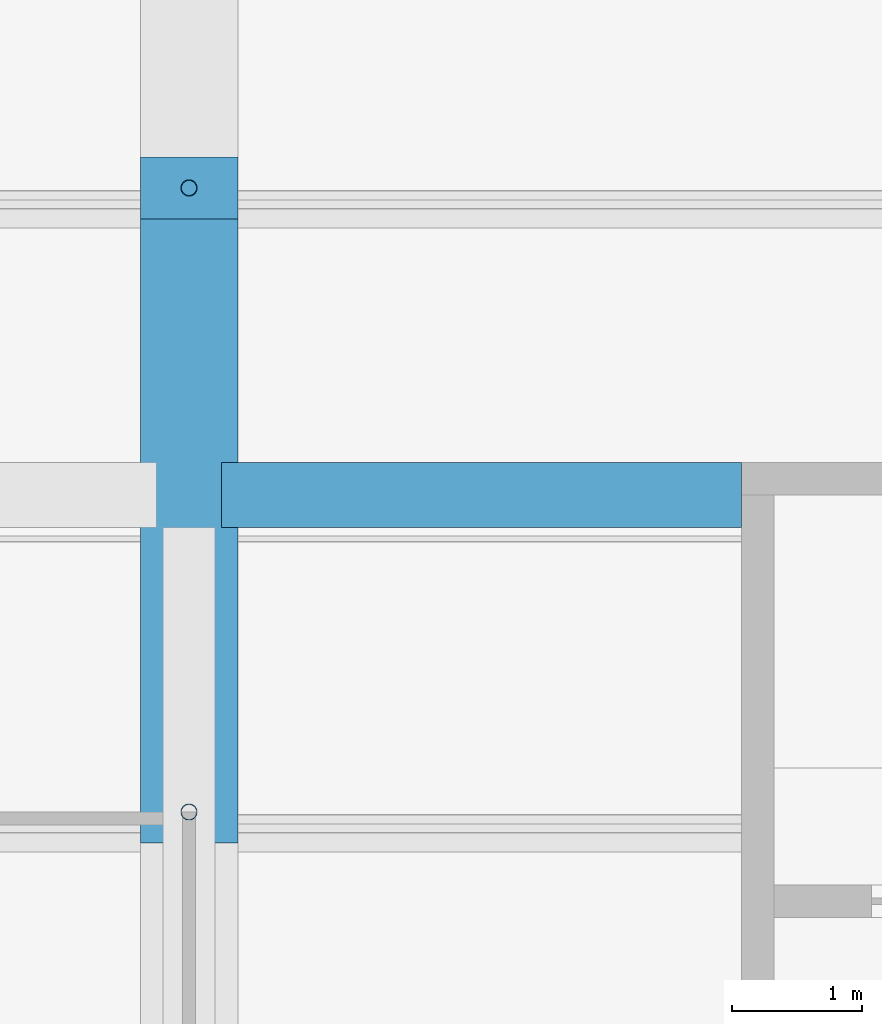
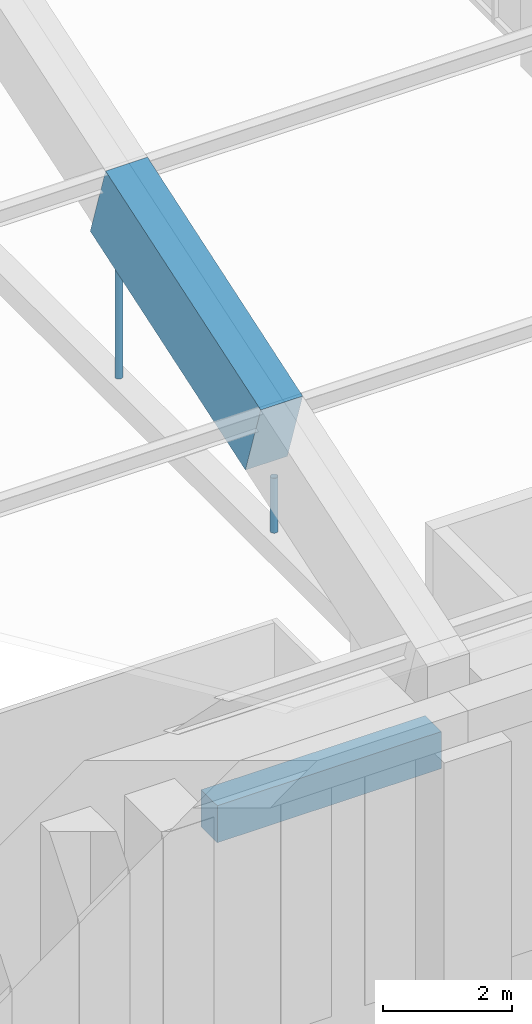
# One storey, part 25 of 149: 2 beams, 2 members.
"""IFC4 building model written with IfcOpenShell, lengths in metres."""

from ifc_helpers import new_model, si_unit, direction, frame, origin, origin_2d, place, context, subcontext, project, spatial, rectangle, hollow_circle, extrude, material, material_profile, profile_set, type_object, element, save


model = new_model("IFC4")

# Units and contexts
model_context = context("Model", 3, precision=1e-05, world=origin(), true_north=direction((0.0, 1.0)))
body_context = subcontext(model_context, "Body", "Model", "MODEL_VIEW")
ifc_project = project(units=[si_unit("LENGTHUNIT", "METRE"), si_unit("AREAUNIT", "SQUARE_METRE"), si_unit("VOLUMEUNIT", "CUBIC_METRE"), si_unit("PLANEANGLEUNIT", "RADIAN"), si_unit("MASSUNIT", "GRAM", prefix="KILO")], contexts=[model_context])

# Site, building, storey
site_placement = place(None, origin())
site = spatial("IfcSite", under=ifc_project, at=site_placement, CompositionType="ELEMENT")
building_placement = place(site_placement, origin())
building = spatial("IfcBuilding", under=site, at=building_placement, Name="Alderwick Market Hall", CompositionType="ELEMENT")
storey_placement = place(building_placement, frame((0.0, 0.0, 9.60009765625)))
storey = spatial("IfcBuildingStorey", under=building, at=storey_placement, Name="L01", CompositionType="ELEMENT", Elevation=9.60009765625)

# Beams
ifc_material_1 = material(Name="Concrete 5000 psi (f'c 35 MPa)", Category="concrete")
ifc_material_profile_1 = material_profile(ifc_material_1, rectangle(XDim=0.5, YDim=0.699951171875, at=origin_2d()), Name="RC 500x700")
ifc_profile_set_1 = profile_set([ifc_material_profile_1], Name="Concrete 5000 psi (f'c 35 MPa)")
beam_type_1 = type_object("IfcBeamType", Name="H Edge beam 500x700", PredefinedType="BEAM", material=ifc_profile_set_1)
beam_1_placement = place(storey_placement, frame((137.050048828125, 57.639892578125, -0.60009765625), z_axis=(1.0, 0.0, 0.0), x_axis=(0.0, 1.0, 0.0)))
element("IfcBeam", 1, at=beam_1_placement, inside=storey, type_object=beam_type_1, Name="Gallery edge beam S", PredefinedType="BEAM", context=body_context, shape_type="SweptSolid", body=[
    extrude(rectangle(XDim=0.5, YDim=0.699951171875, at=origin_2d()), origin(), (0.0, 0.0, 1.0), 4.0),
])
ifc_material_profile_2 = material_profile(ifc_material_1, rectangle(XDim=0.75, YDim=1.5, at=origin_2d()), Name="RC 750x1500")
ifc_profile_set_2 = profile_set([ifc_material_profile_2], Name="Concrete 5000 psi (f'c 35 MPa)")
beam_type_2 = type_object("IfcBeamType", Name="R Arch Rib Springing 750x1500", PredefinedType="BEAM", material=ifc_profile_set_2)
beam_2_placement = place(storey_placement, frame((136.800048828125, 55.199951171875, 8.199951171875), z_axis=(0.0, 0.948692948114, 0.316198814353), x_axis=(-1.0, 0.0, 0.0)))
element("IfcBeam", 2, at=beam_2_placement, inside=storey, type_object=beam_type_2, Name="Arch rib 7 chord 2", PredefinedType="BEAM", context=body_context, shape_type="SweptSolid", body=[
    extrude(rectangle(XDim=0.75, YDim=1.5, at=origin_2d()), origin(), (0.0, 0.0, 1.0), 5.0595703125),
])

# Members
ifc_material_2 = material(Name="Steel ASTM A500 Grade C", Category="steel")
ifc_material_profile_3 = material_profile(ifc_material_2, hollow_circle(Radius=0.0634765625, WallThickness=0.005859375, at=origin_2d()), Name="HSS5.000x0.250")
ifc_profile_set_3 = profile_set([ifc_material_profile_3], Name="Steel ASTM A500 Grade C")
member_type = type_object("IfcMemberType", Name="R Hanger HSS5.000x0.250", PredefinedType="POST", material=ifc_profile_set_3)
member_1_placement = place(storey_placement, frame((136.800048828125, 55.199951171875, 6.35302734375), z_axis=(0.0, 0.0, 1.0), x_axis=(1.0, 0.0, 0.0)))
element("IfcMember", 3, at=member_1_placement, inside=storey, type_object=member_type, Name="Arch hanger 7.1", PredefinedType="POST", context=body_context, shape_type="SweptSolid", body=[
    extrude(hollow_circle(Radius=0.0634765625, WallThickness=0.005859375, at=origin_2d()), origin(), (0.0, 0.0, 1.0), 1.03515625),
])
member_2_placement = place(storey_placement, frame((136.800048828125, 60.0, 6.35302734375), z_axis=(0.0, 0.0, 1.0), x_axis=(1.0, 0.0, 0.0)))
element("IfcMember", 4, at=member_2_placement, inside=storey, type_object=member_type, Name="Arch hanger 7.2", PredefinedType="POST", context=body_context, shape_type="SweptSolid", body=[
    extrude(hollow_circle(Radius=0.0634765625, WallThickness=0.005859375, at=origin_2d()), origin(), (0.0, 0.0, 1.0), 2.63525390625),
])

save(model, "model.ifc")
